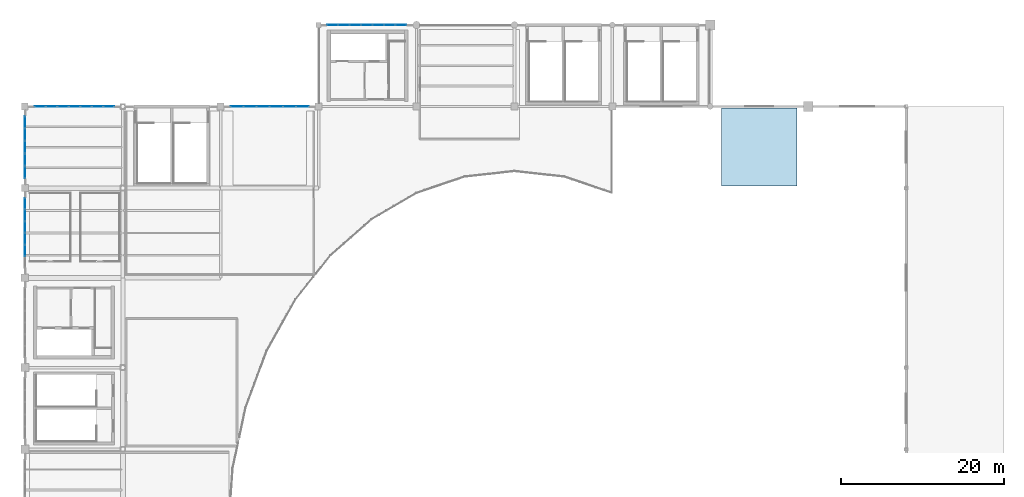
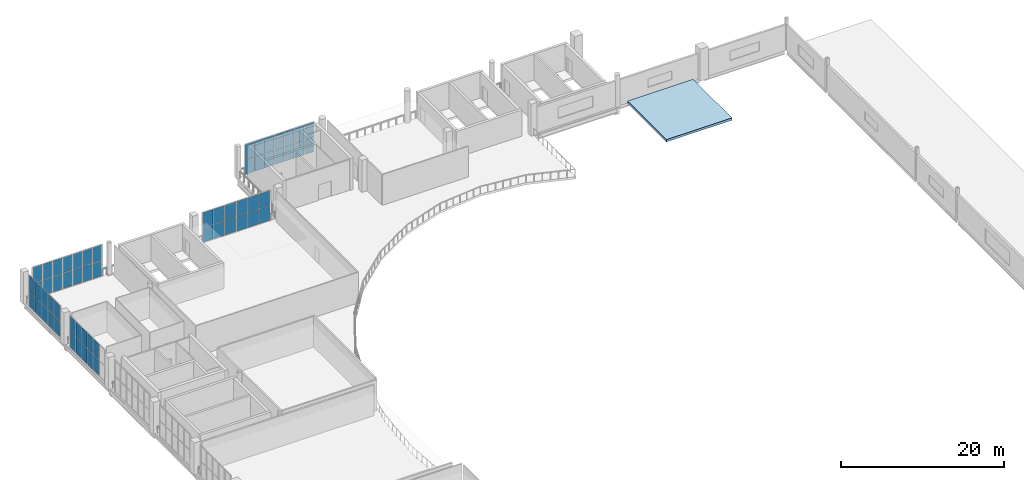
# One storey, part 35 of 49: 60 plates, 1 slab, 5 elements without a shape of their own.
"""IFC4 building model written with IfcOpenShell, lengths in metres."""

from ifc_helpers import new_model, si_unit, direction, frame, origin, origin_2d, place, context, subcontext, project, spatial, polyline, rectangle, outline, extrude, material, layer, layer_set, type_object, element, aggregate, save


model = new_model("IFC4")

# Units and contexts
model_context = context("Model", 3, precision=1e-05, world=origin(), true_north=direction((0.0, 1.0)))
body_context = subcontext(model_context, "Body", "Model", "MODEL_VIEW")
ifc_project = project(units=[si_unit("LENGTHUNIT", "METRE"), si_unit("AREAUNIT", "SQUARE_METRE"), si_unit("VOLUMEUNIT", "CUBIC_METRE"), si_unit("PLANEANGLEUNIT", "RADIAN"), si_unit("MASSUNIT", "GRAM", prefix="KILO")], contexts=[model_context])

# Site, building, storey
site_placement = place(None, origin())
site = spatial("IfcSite", under=ifc_project, at=site_placement, CompositionType="ELEMENT")
building_placement = place(site_placement, origin())
building = spatial("IfcBuilding", under=site, at=building_placement, Name="Brinegate Civic Arena", CompositionType="ELEMENT")
storey_placement = place(building_placement, frame((0.0, 0.0, 24.60009765625)))
storey = spatial("IfcBuildingStorey", under=building, at=storey_placement, Name="L05", CompositionType="ELEMENT", Elevation=24.60009765625)

# Curtain wall, plates
ifc_material_1 = material(Name="Marine grade aluminium", Category="aluminium")
ifc_layer_1 = layer(ifc_material_1, 0.199951171875, Name="Marine grade aluminium")
ifc_layer_set_1 = layer_set([ifc_layer_1], Name="Marine grade aluminium")
curtain_wall_type = type_object("IfcCurtainWallType", Name="CW-BOWL-GLAZED-01", PredefinedType="USERDEFINED", material=ifc_layer_set_1)
curtain_wall_1_placement = place(storey_placement, origin())
curtain_wall_1 = element("IfcCurtainWall", 1, at=curtain_wall_1_placement, inside=storey, type_object=curtain_wall_type, Name="Curtain Wall CWA-170", ObjectType="GLAZED CURTAIN WALL", PredefinedType="USERDEFINED")
ifc_material_2 = material(Name="Hurricane laminated low-E glass", Category="glass")
ifc_layer_2 = layer(ifc_material_2, 0.028076171875, Name="Hurricane laminated low-E glass")
ifc_layer_set_2 = layer_set([ifc_layer_2], Name="Hurricane laminated low-E glass")
plate_type_1 = type_object("IfcPlateType", Name="CW-PANEL-GLAZED-28", PredefinedType="CURTAIN_PANEL", material=ifc_layer_set_2)
plate_1_placement = place(storey_placement, frame((73.975341796875, 114.0, 0.06494140625), z_axis=(0.0, 0.0, 1.0), x_axis=(1.0, 0.0, 0.0)))
plate_1 = element("IfcPlate", 2, at=plate_1_placement, type_object=plate_type_1, Name="CWA-170 panel 1.1", PredefinedType="CURTAIN_PANEL", context=body_context, shape_type="SweptSolid", body=[
    extrude(rectangle(XDim=1.518798828125, YDim=0.028076171875, at=origin_2d()), origin(), (0.0, 0.0, 1.0), 2.1923828125),
])
plate_2_placement = place(storey_placement, frame((73.975341796875, 114.0, 2.322509765625), z_axis=(0.0, 0.0, 1.0), x_axis=(1.0, 0.0, 0.0)))
plate_2 = element("IfcPlate", 3, at=plate_2_placement, type_object=plate_type_1, Name="CWA-170 panel 1.2", PredefinedType="CURTAIN_PANEL", context=body_context, shape_type="SweptSolid", body=[
    extrude(rectangle(XDim=1.518798828125, YDim=0.028076171875, at=origin_2d()), origin(), (0.0, 0.0, 1.0), 2.1923828125),
])
plate_3_placement = place(storey_placement, frame((75.575439453125, 114.0, 0.06494140625), z_axis=(0.0, 0.0, 1.0), x_axis=(1.0, 0.0, 0.0)))
plate_3 = element("IfcPlate", 4, at=plate_3_placement, type_object=plate_type_1, Name="CWA-170 panel 2.1", PredefinedType="CURTAIN_PANEL", context=body_context, shape_type="SweptSolid", body=[
    extrude(rectangle(XDim=1.55126953125, YDim=0.028076171875, at=origin_2d()), origin(), (0.0, 0.0, 1.0), 2.1923828125),
])
plate_4_placement = place(storey_placement, frame((75.575439453125, 114.0, 2.322509765625), z_axis=(0.0, 0.0, 1.0), x_axis=(1.0, 0.0, 0.0)))
plate_4 = element("IfcPlate", 5, at=plate_4_placement, type_object=plate_type_1, Name="CWA-170 panel 2.2", PredefinedType="CURTAIN_PANEL", context=body_context, shape_type="SweptSolid", body=[
    extrude(rectangle(XDim=1.55126953125, YDim=0.028076171875, at=origin_2d()), origin(), (0.0, 0.0, 1.0), 2.1923828125),
])
plate_5_placement = place(storey_placement, frame((77.19189453125, 114.0, 0.06494140625), z_axis=(0.0, 0.0, 1.0), x_axis=(1.0, 0.0, 0.0)))
plate_5 = element("IfcPlate", 6, at=plate_5_placement, type_object=plate_type_1, Name="CWA-170 panel 3.1", PredefinedType="CURTAIN_PANEL", context=body_context, shape_type="SweptSolid", body=[
    extrude(rectangle(XDim=1.55126953125, YDim=0.028076171875, at=origin_2d()), origin(), (0.0, 0.0, 1.0), 2.1923828125),
])
plate_6_placement = place(storey_placement, frame((77.19189453125, 114.0, 2.322509765625), z_axis=(0.0, 0.0, 1.0), x_axis=(1.0, 0.0, 0.0)))
plate_6 = element("IfcPlate", 7, at=plate_6_placement, type_object=plate_type_1, Name="CWA-170 panel 3.2", PredefinedType="CURTAIN_PANEL", context=body_context, shape_type="SweptSolid", body=[
    extrude(rectangle(XDim=1.55126953125, YDim=0.028076171875, at=origin_2d()), origin(), (0.0, 0.0, 1.0), 2.1923828125),
])
plate_7_placement = place(storey_placement, frame((78.80810546875, 114.0, 0.06494140625), z_axis=(0.0, 0.0, 1.0), x_axis=(1.0, 0.0, 0.0)))
plate_7 = element("IfcPlate", 8, at=plate_7_placement, type_object=plate_type_1, Name="CWA-170 panel 4.1", PredefinedType="CURTAIN_PANEL", context=body_context, shape_type="SweptSolid", body=[
    extrude(rectangle(XDim=1.55126953125, YDim=0.028076171875, at=origin_2d()), origin(), (0.0, 0.0, 1.0), 2.1923828125),
])
plate_8_placement = place(storey_placement, frame((78.80810546875, 114.0, 2.322509765625), z_axis=(0.0, 0.0, 1.0), x_axis=(1.0, 0.0, 0.0)))
plate_8 = element("IfcPlate", 9, at=plate_8_placement, type_object=plate_type_1, Name="CWA-170 panel 4.2", PredefinedType="CURTAIN_PANEL", context=body_context, shape_type="SweptSolid", body=[
    extrude(rectangle(XDim=1.55126953125, YDim=0.028076171875, at=origin_2d()), origin(), (0.0, 0.0, 1.0), 2.1923828125),
])
plate_9_placement = place(storey_placement, frame((80.424560546875, 114.0, 0.06494140625), z_axis=(0.0, 0.0, 1.0), x_axis=(1.0, 0.0, 0.0)))
plate_9 = element("IfcPlate", 10, at=plate_9_placement, type_object=plate_type_1, Name="CWA-170 panel 5.1", PredefinedType="CURTAIN_PANEL", context=body_context, shape_type="SweptSolid", body=[
    extrude(rectangle(XDim=1.55126953125, YDim=0.028076171875, at=origin_2d()), origin(), (0.0, 0.0, 1.0), 2.1923828125),
])
plate_10_placement = place(storey_placement, frame((80.424560546875, 114.0, 2.322509765625), z_axis=(0.0, 0.0, 1.0), x_axis=(1.0, 0.0, 0.0)))
plate_10 = element("IfcPlate", 11, at=plate_10_placement, type_object=plate_type_1, Name="CWA-170 panel 5.2", PredefinedType="CURTAIN_PANEL", context=body_context, shape_type="SweptSolid", body=[
    extrude(rectangle(XDim=1.55126953125, YDim=0.028076171875, at=origin_2d()), origin(), (0.0, 0.0, 1.0), 2.1923828125),
])
plate_11_placement = place(storey_placement, frame((82.024658203125, 114.0, 0.06494140625), z_axis=(0.0, 0.0, 1.0), x_axis=(1.0, 0.0, 0.0)))
plate_11 = element("IfcPlate", 12, at=plate_11_placement, type_object=plate_type_1, Name="CWA-170 panel 6.1", PredefinedType="CURTAIN_PANEL", context=body_context, shape_type="SweptSolid", body=[
    extrude(rectangle(XDim=1.518798828125, YDim=0.028076171875, at=origin_2d()), origin(), (0.0, 0.0, 1.0), 2.1923828125),
])
plate_12_placement = place(storey_placement, frame((82.024658203125, 114.0, 2.322509765625), z_axis=(0.0, 0.0, 1.0), x_axis=(1.0, 0.0, 0.0)))
plate_12 = element("IfcPlate", 13, at=plate_12_placement, type_object=plate_type_1, Name="CWA-170 panel 6.2", PredefinedType="CURTAIN_PANEL", context=body_context, shape_type="SweptSolid", body=[
    extrude(rectangle(XDim=1.518798828125, YDim=0.028076171875, at=origin_2d()), origin(), (0.0, 0.0, 1.0), 2.1923828125),
])
aggregate(curtain_wall_1, [plate_1, plate_2, plate_3, plate_4, plate_5, plate_6, plate_7, plate_8, plate_9, plate_10, plate_11, plate_12])

curtain_wall_2_placement = place(storey_placement, origin())
curtain_wall_2 = element("IfcCurtainWall", 14, at=curtain_wall_2_placement, inside=storey, type_object=curtain_wall_type, Name="Curtain Wall CWA-171", ObjectType="GLAZED CURTAIN WALL", PredefinedType="USERDEFINED")
ifc_layer_3 = layer(ifc_material_2, 0.031982421875, Name="Hurricane laminated low-E glass")
ifc_layer_set_3 = layer_set([ifc_layer_3], Name="Hurricane laminated low-E glass")
plate_type_2 = type_object("IfcPlateType", Name="CW-PANEL-GLAZED-32", PredefinedType="CURTAIN_PANEL", material=ifc_layer_set_3)
plate_13_placement = place(storey_placement, frame((85.693115234375, 124.0, 0.07470703125), z_axis=(0.0, 0.0, 1.0), x_axis=(1.0, 0.0, 0.0)))
plate_13 = element("IfcPlate", 15, at=plate_13_placement, type_object=plate_type_2, Name="CWA-171 panel 1.1", PredefinedType="CURTAIN_PANEL", context=body_context, shape_type="SweptSolid", body=[
    extrude(rectangle(XDim=1.30810546875, YDim=0.031982421875, at=origin_2d()), origin(), (0.0, 0.0, 1.0), 2.177490234375),
])
plate_14_placement = place(storey_placement, frame((85.693115234375, 124.0, 2.32763671875), z_axis=(0.0, 0.0, 1.0), x_axis=(1.0, 0.0, 0.0)))
plate_14 = element("IfcPlate", 16, at=plate_14_placement, type_object=plate_type_2, Name="CWA-171 panel 1.2", PredefinedType="CURTAIN_PANEL", context=body_context, shape_type="SweptSolid", body=[
    extrude(rectangle(XDim=1.30810546875, YDim=0.031982421875, at=origin_2d()), origin(), (0.0, 0.0, 1.0), 2.177490234375),
])
plate_15_placement = place(storey_placement, frame((87.08251953125, 124.0, 0.07470703125), z_axis=(0.0, 0.0, 1.0), x_axis=(1.0, 0.0, 0.0)))
plate_15 = element("IfcPlate", 17, at=plate_15_placement, type_object=plate_type_2, Name="CWA-171 panel 2.1", PredefinedType="CURTAIN_PANEL", context=body_context, shape_type="SweptSolid", body=[
    extrude(rectangle(XDim=1.3408203125, YDim=0.031982421875, at=origin_2d()), origin(), (0.0, 0.0, 1.0), 2.177490234375),
])
plate_16_placement = place(storey_placement, frame((87.08251953125, 124.0, 2.32763671875), z_axis=(0.0, 0.0, 1.0), x_axis=(1.0, 0.0, 0.0)))
plate_16 = element("IfcPlate", 18, at=plate_16_placement, type_object=plate_type_2, Name="CWA-171 panel 2.2", PredefinedType="CURTAIN_PANEL", context=body_context, shape_type="SweptSolid", body=[
    extrude(rectangle(XDim=1.3408203125, YDim=0.031982421875, at=origin_2d()), origin(), (0.0, 0.0, 1.0), 2.177490234375),
])
plate_17_placement = place(storey_placement, frame((88.48828125, 124.0, 0.07470703125), z_axis=(0.0, 0.0, 1.0), x_axis=(1.0, 0.0, 0.0)))
plate_17 = element("IfcPlate", 19, at=plate_17_placement, type_object=plate_type_2, Name="CWA-171 panel 3.1", PredefinedType="CURTAIN_PANEL", context=body_context, shape_type="SweptSolid", body=[
    extrude(rectangle(XDim=1.3408203125, YDim=0.031982421875, at=origin_2d()), origin(), (0.0, 0.0, 1.0), 2.177490234375),
])
plate_18_placement = place(storey_placement, frame((88.48828125, 124.0, 2.32763671875), z_axis=(0.0, 0.0, 1.0), x_axis=(1.0, 0.0, 0.0)))
plate_18 = element("IfcPlate", 20, at=plate_18_placement, type_object=plate_type_2, Name="CWA-171 panel 3.2", PredefinedType="CURTAIN_PANEL", context=body_context, shape_type="SweptSolid", body=[
    extrude(rectangle(XDim=1.3408203125, YDim=0.031982421875, at=origin_2d()), origin(), (0.0, 0.0, 1.0), 2.177490234375),
])
plate_19_placement = place(storey_placement, frame((89.89404296875, 124.0, 0.07470703125), z_axis=(0.0, 0.0, 1.0), x_axis=(1.0, 0.0, 0.0)))
plate_19 = element("IfcPlate", 21, at=plate_19_placement, type_object=plate_type_2, Name="CWA-171 panel 4.1", PredefinedType="CURTAIN_PANEL", context=body_context, shape_type="SweptSolid", body=[
    extrude(rectangle(XDim=1.3408203125, YDim=0.031982421875, at=origin_2d()), origin(), (0.0, 0.0, 1.0), 2.177490234375),
])
plate_20_placement = place(storey_placement, frame((89.89404296875, 124.0, 2.32763671875), z_axis=(0.0, 0.0, 1.0), x_axis=(1.0, 0.0, 0.0)))
plate_20 = element("IfcPlate", 22, at=plate_20_placement, type_object=plate_type_2, Name="CWA-171 panel 4.2", PredefinedType="CURTAIN_PANEL", context=body_context, shape_type="SweptSolid", body=[
    extrude(rectangle(XDim=1.3408203125, YDim=0.031982421875, at=origin_2d()), origin(), (0.0, 0.0, 1.0), 2.177490234375),
])
plate_21_placement = place(storey_placement, frame((91.2998046875, 124.0, 0.07470703125), z_axis=(0.0, 0.0, 1.0), x_axis=(1.0, 0.0, 0.0)))
plate_21 = element("IfcPlate", 23, at=plate_21_placement, type_object=plate_type_2, Name="CWA-171 panel 5.1", PredefinedType="CURTAIN_PANEL", context=body_context, shape_type="SweptSolid", body=[
    extrude(rectangle(XDim=1.3408203125, YDim=0.031982421875, at=origin_2d()), origin(), (0.0, 0.0, 1.0), 2.177490234375),
])
plate_22_placement = place(storey_placement, frame((91.2998046875, 124.0, 2.32763671875), z_axis=(0.0, 0.0, 1.0), x_axis=(1.0, 0.0, 0.0)))
plate_22 = element("IfcPlate", 24, at=plate_22_placement, type_object=plate_type_2, Name="CWA-171 panel 5.2", PredefinedType="CURTAIN_PANEL", context=body_context, shape_type="SweptSolid", body=[
    extrude(rectangle(XDim=1.3408203125, YDim=0.031982421875, at=origin_2d()), origin(), (0.0, 0.0, 1.0), 2.177490234375),
])
plate_23_placement = place(storey_placement, frame((92.705322265625, 124.0, 0.07470703125), z_axis=(0.0, 0.0, 1.0), x_axis=(1.0, 0.0, 0.0)))
plate_23 = element("IfcPlate", 25, at=plate_23_placement, type_object=plate_type_2, Name="CWA-171 panel 6.1", PredefinedType="CURTAIN_PANEL", context=body_context, shape_type="SweptSolid", body=[
    extrude(rectangle(XDim=1.3408203125, YDim=0.031982421875, at=origin_2d()), origin(), (0.0, 0.0, 1.0), 2.177490234375),
])
plate_24_placement = place(storey_placement, frame((92.705322265625, 124.0, 2.32763671875), z_axis=(0.0, 0.0, 1.0), x_axis=(1.0, 0.0, 0.0)))
plate_24 = element("IfcPlate", 26, at=plate_24_placement, type_object=plate_type_2, Name="CWA-171 panel 6.2", PredefinedType="CURTAIN_PANEL", context=body_context, shape_type="SweptSolid", body=[
    extrude(rectangle(XDim=1.3408203125, YDim=0.031982421875, at=origin_2d()), origin(), (0.0, 0.0, 1.0), 2.177490234375),
])
plate_25_placement = place(storey_placement, frame((94.094970703125, 124.0, 0.07470703125), z_axis=(0.0, 0.0, 1.0), x_axis=(1.0, 0.0, 0.0)))
plate_25 = element("IfcPlate", 27, at=plate_25_placement, type_object=plate_type_2, Name="CWA-171 panel 7.1", PredefinedType="CURTAIN_PANEL", context=body_context, shape_type="SweptSolid", body=[
    extrude(rectangle(XDim=1.30810546875, YDim=0.031982421875, at=origin_2d()), origin(), (0.0, 0.0, 1.0), 2.177490234375),
])
plate_26_placement = place(storey_placement, frame((94.094970703125, 124.0, 2.32763671875), z_axis=(0.0, 0.0, 1.0), x_axis=(1.0, 0.0, 0.0)))
plate_26 = element("IfcPlate", 28, at=plate_26_placement, type_object=plate_type_2, Name="CWA-171 panel 7.2", PredefinedType="CURTAIN_PANEL", context=body_context, shape_type="SweptSolid", body=[
    extrude(rectangle(XDim=1.30810546875, YDim=0.031982421875, at=origin_2d()), origin(), (0.0, 0.0, 1.0), 2.177490234375),
])
aggregate(curtain_wall_2, [plate_13, plate_14, plate_15, plate_16, plate_17, plate_18, plate_19, plate_20, plate_21, plate_22, plate_23, plate_24, plate_25, plate_26])

curtain_wall_3_placement = place(storey_placement, origin())
curtain_wall_3 = element("IfcCurtainWall", 29, at=curtain_wall_3_placement, inside=storey, type_object=curtain_wall_type, Name="Curtain Wall CWA-162", ObjectType="GLAZED CURTAIN WALL", PredefinedType="USERDEFINED")
ifc_layer_4 = layer(ifc_material_2, 0.035888671875, Name="Hurricane laminated low-E glass")
ifc_layer_set_4 = layer_set([ifc_layer_4], Name="Hurricane laminated low-E glass")
plate_type_3 = type_object("IfcPlateType", Name="CW-PANEL-GLAZED-36", PredefinedType="CURTAIN_PANEL", material=ifc_layer_set_4)
plate_27_placement = place(storey_placement, frame((48.0, 96.351806640625, 0.06494140625), z_axis=(0.0, 0.0, 1.0), x_axis=(0.0, 1.0, 0.0)))
plate_27 = element("IfcPlate", 30, at=plate_27_placement, type_object=plate_type_3, Name="CWA-162 panel 2.1", PredefinedType="CURTAIN_PANEL", context=body_context, shape_type="SweptSolid", body=[
    extrude(rectangle(XDim=1.368896484375, YDim=0.035888671875, at=origin_2d()), origin(), (0.0, 0.0, 1.0), 2.302490234375),
])
plate_28_placement = place(storey_placement, frame((48.0, 96.351806640625, 2.4326171875), z_axis=(0.0, 0.0, 1.0), x_axis=(0.0, 1.0, 0.0)))
plate_28 = element("IfcPlate", 31, at=plate_28_placement, type_object=plate_type_3, Name="CWA-162 panel 2.2", PredefinedType="CURTAIN_PANEL", context=body_context, shape_type="SweptSolid", body=[
    extrude(rectangle(XDim=1.368896484375, YDim=0.035888671875, at=origin_2d()), origin(), (0.0, 0.0, 1.0), 2.302490234375),
])
plate_29_placement = place(storey_placement, frame((48.0, 97.795654296875, 0.06494140625), z_axis=(0.0, 0.0, 1.0), x_axis=(0.0, 1.0, 0.0)))
plate_29 = element("IfcPlate", 32, at=plate_29_placement, type_object=plate_type_3, Name="CWA-162 panel 3.1", PredefinedType="CURTAIN_PANEL", context=body_context, shape_type="SweptSolid", body=[
    extrude(rectangle(XDim=1.368896484375, YDim=0.035888671875, at=origin_2d()), origin(), (0.0, 0.0, 1.0), 2.302490234375),
])
plate_30_placement = place(storey_placement, frame((48.0, 97.795654296875, 2.4326171875), z_axis=(0.0, 0.0, 1.0), x_axis=(0.0, 1.0, 0.0)))
plate_30 = element("IfcPlate", 33, at=plate_30_placement, type_object=plate_type_3, Name="CWA-162 panel 3.2", PredefinedType="CURTAIN_PANEL", context=body_context, shape_type="SweptSolid", body=[
    extrude(rectangle(XDim=1.368896484375, YDim=0.035888671875, at=origin_2d()), origin(), (0.0, 0.0, 1.0), 2.302490234375),
])
plate_31_placement = place(storey_placement, frame((48.0, 99.239501953125, 0.06494140625), z_axis=(0.0, 0.0, 1.0), x_axis=(0.0, 1.0, 0.0)))
plate_31 = element("IfcPlate", 34, at=plate_31_placement, type_object=plate_type_3, Name="CWA-162 panel 4.1", PredefinedType="CURTAIN_PANEL", context=body_context, shape_type="SweptSolid", body=[
    extrude(rectangle(XDim=1.368896484375, YDim=0.035888671875, at=origin_2d()), origin(), (0.0, 0.0, 1.0), 2.302490234375),
])
plate_32_placement = place(storey_placement, frame((48.0, 99.239501953125, 2.4326171875), z_axis=(0.0, 0.0, 1.0), x_axis=(0.0, 1.0, 0.0)))
plate_32 = element("IfcPlate", 35, at=plate_32_placement, type_object=plate_type_3, Name="CWA-162 panel 4.2", PredefinedType="CURTAIN_PANEL", context=body_context, shape_type="SweptSolid", body=[
    extrude(rectangle(XDim=1.368896484375, YDim=0.035888671875, at=origin_2d()), origin(), (0.0, 0.0, 1.0), 2.302490234375),
])
plate_33_placement = place(storey_placement, frame((48.0, 100.683349609375, 0.06494140625), z_axis=(0.0, 0.0, 1.0), x_axis=(0.0, 1.0, 0.0)))
plate_33 = element("IfcPlate", 36, at=plate_33_placement, type_object=plate_type_3, Name="CWA-162 panel 5.1", PredefinedType="CURTAIN_PANEL", context=body_context, shape_type="SweptSolid", body=[
    extrude(rectangle(XDim=1.368896484375, YDim=0.035888671875, at=origin_2d()), origin(), (0.0, 0.0, 1.0), 2.302490234375),
])
plate_34_placement = place(storey_placement, frame((48.0, 100.683349609375, 2.4326171875), z_axis=(0.0, 0.0, 1.0), x_axis=(0.0, 1.0, 0.0)))
plate_34 = element("IfcPlate", 37, at=plate_34_placement, type_object=plate_type_3, Name="CWA-162 panel 5.2", PredefinedType="CURTAIN_PANEL", context=body_context, shape_type="SweptSolid", body=[
    extrude(rectangle(XDim=1.368896484375, YDim=0.035888671875, at=origin_2d()), origin(), (0.0, 0.0, 1.0), 2.302490234375),
])
plate_35_placement = place(storey_placement, frame((48.0, 102.1083984375, 0.06494140625), z_axis=(0.0, 0.0, 1.0), x_axis=(0.0, 1.0, 0.0)))
plate_35 = element("IfcPlate", 38, at=plate_35_placement, type_object=plate_type_3, Name="CWA-162 panel 6.1", PredefinedType="CURTAIN_PANEL", context=body_context, shape_type="SweptSolid", body=[
    extrude(rectangle(XDim=1.331298828125, YDim=0.035888671875, at=origin_2d()), origin(), (0.0, 0.0, 1.0), 2.302490234375),
])
plate_36_placement = place(storey_placement, frame((48.0, 102.1083984375, 2.4326171875), z_axis=(0.0, 0.0, 1.0), x_axis=(0.0, 1.0, 0.0)))
plate_36 = element("IfcPlate", 39, at=plate_36_placement, type_object=plate_type_3, Name="CWA-162 panel 6.2", PredefinedType="CURTAIN_PANEL", context=body_context, shape_type="SweptSolid", body=[
    extrude(rectangle(XDim=1.331298828125, YDim=0.035888671875, at=origin_2d()), origin(), (0.0, 0.0, 1.0), 2.302490234375),
])
aggregate(curtain_wall_3, [plate_27, plate_28, plate_29, plate_30, plate_31, plate_32, plate_33, plate_34, plate_35, plate_36])

curtain_wall_4_placement = place(storey_placement, origin())
curtain_wall_4 = element("IfcCurtainWall", 40, at=curtain_wall_4_placement, inside=storey, type_object=curtain_wall_type, Name="Curtain Wall CWA-169", ObjectType="GLAZED CURTAIN WALL", PredefinedType="USERDEFINED")
plate_37_placement = place(storey_placement, frame((49.842041015625, 114.0, 0.074951171875), z_axis=(0.0, 0.0, 1.0), x_axis=(1.0, 0.0, 0.0)))
plate_37 = element("IfcPlate", 41, at=plate_37_placement, type_object=plate_type_3, Name="CWA-169 panel 1.1", PredefinedType="CURTAIN_PANEL", context=body_context, shape_type="SweptSolid", body=[
    extrude(rectangle(XDim=1.30224609375, YDim=0.035888671875, at=origin_2d()), origin(), (0.0, 0.0, 1.0), 2.28759765625),
])
plate_38_placement = place(storey_placement, frame((49.842041015625, 114.0, 2.437255859375), z_axis=(0.0, 0.0, 1.0), x_axis=(1.0, 0.0, 0.0)))
plate_38 = element("IfcPlate", 42, at=plate_38_placement, type_object=plate_type_3, Name="CWA-169 panel 1.2", PredefinedType="CURTAIN_PANEL", context=body_context, shape_type="SweptSolid", body=[
    extrude(rectangle(XDim=1.30224609375, YDim=0.035888671875, at=origin_2d()), origin(), (0.0, 0.0, 1.0), 2.28759765625),
])
plate_39_placement = place(storey_placement, frame((51.238037109375, 114.0, 0.074951171875), z_axis=(0.0, 0.0, 1.0), x_axis=(1.0, 0.0, 0.0)))
plate_39 = element("IfcPlate", 43, at=plate_39_placement, type_object=plate_type_3, Name="CWA-169 panel 2.1", PredefinedType="CURTAIN_PANEL", context=body_context, shape_type="SweptSolid", body=[
    extrude(rectangle(XDim=1.339599609375, YDim=0.035888671875, at=origin_2d()), origin(), (0.0, 0.0, 1.0), 2.28759765625),
])
plate_40_placement = place(storey_placement, frame((51.238037109375, 114.0, 2.437255859375), z_axis=(0.0, 0.0, 1.0), x_axis=(1.0, 0.0, 0.0)))
plate_40 = element("IfcPlate", 44, at=plate_40_placement, type_object=plate_type_3, Name="CWA-169 panel 2.2", PredefinedType="CURTAIN_PANEL", context=body_context, shape_type="SweptSolid", body=[
    extrude(rectangle(XDim=1.339599609375, YDim=0.035888671875, at=origin_2d()), origin(), (0.0, 0.0, 1.0), 2.28759765625),
])
plate_41_placement = place(storey_placement, frame((52.65283203125, 114.0, 0.074951171875), z_axis=(0.0, 0.0, 1.0), x_axis=(1.0, 0.0, 0.0)))
plate_41 = element("IfcPlate", 45, at=plate_41_placement, type_object=plate_type_3, Name="CWA-169 panel 3.1", PredefinedType="CURTAIN_PANEL", context=body_context, shape_type="SweptSolid", body=[
    extrude(rectangle(XDim=1.339599609375, YDim=0.035888671875, at=origin_2d()), origin(), (0.0, 0.0, 1.0), 2.28759765625),
])
plate_42_placement = place(storey_placement, frame((52.65283203125, 114.0, 2.437255859375), z_axis=(0.0, 0.0, 1.0), x_axis=(1.0, 0.0, 0.0)))
plate_42 = element("IfcPlate", 46, at=plate_42_placement, type_object=plate_type_3, Name="CWA-169 panel 3.2", PredefinedType="CURTAIN_PANEL", context=body_context, shape_type="SweptSolid", body=[
    extrude(rectangle(XDim=1.339599609375, YDim=0.035888671875, at=origin_2d()), origin(), (0.0, 0.0, 1.0), 2.28759765625),
])
plate_43_placement = place(storey_placement, frame((54.0673828125, 114.0, 0.074951171875), z_axis=(0.0, 0.0, 1.0), x_axis=(1.0, 0.0, 0.0)))
plate_43 = element("IfcPlate", 47, at=plate_43_placement, type_object=plate_type_3, Name="CWA-169 panel 4.1", PredefinedType="CURTAIN_PANEL", context=body_context, shape_type="SweptSolid", body=[
    extrude(rectangle(XDim=1.339599609375, YDim=0.035888671875, at=origin_2d()), origin(), (0.0, 0.0, 1.0), 2.28759765625),
])
plate_44_placement = place(storey_placement, frame((54.0673828125, 114.0, 2.437255859375), z_axis=(0.0, 0.0, 1.0), x_axis=(1.0, 0.0, 0.0)))
plate_44 = element("IfcPlate", 48, at=plate_44_placement, type_object=plate_type_3, Name="CWA-169 panel 4.2", PredefinedType="CURTAIN_PANEL", context=body_context, shape_type="SweptSolid", body=[
    extrude(rectangle(XDim=1.339599609375, YDim=0.035888671875, at=origin_2d()), origin(), (0.0, 0.0, 1.0), 2.28759765625),
])
plate_45_placement = place(storey_placement, frame((55.482177734375, 114.0, 0.074951171875), z_axis=(0.0, 0.0, 1.0), x_axis=(1.0, 0.0, 0.0)))
plate_45 = element("IfcPlate", 49, at=plate_45_placement, type_object=plate_type_3, Name="CWA-169 panel 5.1", PredefinedType="CURTAIN_PANEL", context=body_context, shape_type="SweptSolid", body=[
    extrude(rectangle(XDim=1.339599609375, YDim=0.035888671875, at=origin_2d()), origin(), (0.0, 0.0, 1.0), 2.28759765625),
])
plate_46_placement = place(storey_placement, frame((55.482177734375, 114.0, 2.437255859375), z_axis=(0.0, 0.0, 1.0), x_axis=(1.0, 0.0, 0.0)))
plate_46 = element("IfcPlate", 50, at=plate_46_placement, type_object=plate_type_3, Name="CWA-169 panel 5.2", PredefinedType="CURTAIN_PANEL", context=body_context, shape_type="SweptSolid", body=[
    extrude(rectangle(XDim=1.339599609375, YDim=0.035888671875, at=origin_2d()), origin(), (0.0, 0.0, 1.0), 2.28759765625),
])
plate_47_placement = place(storey_placement, frame((56.89697265625, 114.0, 0.074951171875), z_axis=(0.0, 0.0, 1.0), x_axis=(1.0, 0.0, 0.0)))
plate_47 = element("IfcPlate", 51, at=plate_47_placement, type_object=plate_type_3, Name="CWA-169 panel 6.1", PredefinedType="CURTAIN_PANEL", context=body_context, shape_type="SweptSolid", body=[
    extrude(rectangle(XDim=1.339599609375, YDim=0.035888671875, at=origin_2d()), origin(), (0.0, 0.0, 1.0), 2.28759765625),
])
plate_48_placement = place(storey_placement, frame((56.89697265625, 114.0, 2.437255859375), z_axis=(0.0, 0.0, 1.0), x_axis=(1.0, 0.0, 0.0)))
plate_48 = element("IfcPlate", 52, at=plate_48_placement, type_object=plate_type_3, Name="CWA-169 panel 6.2", PredefinedType="CURTAIN_PANEL", context=body_context, shape_type="SweptSolid", body=[
    extrude(rectangle(XDim=1.339599609375, YDim=0.035888671875, at=origin_2d()), origin(), (0.0, 0.0, 1.0), 2.28759765625),
])
plate_49_placement = place(storey_placement, frame((58.29296875, 114.0, 0.074951171875), z_axis=(0.0, 0.0, 1.0), x_axis=(1.0, 0.0, 0.0)))
plate_49 = element("IfcPlate", 53, at=plate_49_placement, type_object=plate_type_3, Name="CWA-169 panel 7.1", PredefinedType="CURTAIN_PANEL", context=body_context, shape_type="SweptSolid", body=[
    extrude(rectangle(XDim=1.30224609375, YDim=0.035888671875, at=origin_2d()), origin(), (0.0, 0.0, 1.0), 2.28759765625),
])
plate_50_placement = place(storey_placement, frame((58.29296875, 114.0, 2.437255859375), z_axis=(0.0, 0.0, 1.0), x_axis=(1.0, 0.0, 0.0)))
plate_50 = element("IfcPlate", 54, at=plate_50_placement, type_object=plate_type_3, Name="CWA-169 panel 7.2", PredefinedType="CURTAIN_PANEL", context=body_context, shape_type="SweptSolid", body=[
    extrude(rectangle(XDim=1.30224609375, YDim=0.035888671875, at=origin_2d()), origin(), (0.0, 0.0, 1.0), 2.28759765625),
])
aggregate(curtain_wall_4, [plate_37, plate_38, plate_39, plate_40, plate_41, plate_42, plate_43, plate_44, plate_45, plate_46, plate_47, plate_48, plate_49, plate_50])

curtain_wall_5_placement = place(storey_placement, origin())
curtain_wall_5 = element("IfcCurtainWall", 55, at=curtain_wall_5_placement, inside=storey, type_object=curtain_wall_type, Name="Curtain Wall CWA-163", ObjectType="GLAZED CURTAIN WALL", PredefinedType="USERDEFINED")
ifc_layer_5 = layer(ifc_material_2, 0.0419921875, Name="Hurricane laminated low-E glass")
ifc_layer_set_5 = layer_set([ifc_layer_5], Name="Hurricane laminated low-E glass")
plate_type_4 = type_object("IfcPlateType", Name="CW-PANEL-SPANDREL-42", PredefinedType="CURTAIN_PANEL", material=ifc_layer_set_5)
plate_51_placement = place(storey_placement, frame((48.0, 105.9443359375, 0.06494140625), z_axis=(0.0, 0.0, 1.0), x_axis=(0.0, 1.0, 0.0)))
plate_51 = element("IfcPlate", 56, at=plate_51_placement, type_object=plate_type_4, Name="CWA-163 panel 1.1", PredefinedType="CURTAIN_PANEL", context=body_context, shape_type="SweptSolid", body=[
    extrude(rectangle(XDim=1.426513671875, YDim=0.0419921875, at=origin_2d()), origin(), (0.0, 0.0, 1.0), 2.302490234375),
])
plate_52_placement = place(storey_placement, frame((48.0, 105.9443359375, 2.4326171875), z_axis=(0.0, 0.0, 1.0), x_axis=(0.0, 1.0, 0.0)))
plate_52 = element("IfcPlate", 57, at=plate_52_placement, type_object=plate_type_4, Name="CWA-163 panel 1.2", PredefinedType="CURTAIN_PANEL", context=body_context, shape_type="SweptSolid", body=[
    extrude(rectangle(XDim=1.426513671875, YDim=0.0419921875, at=origin_2d()), origin(), (0.0, 0.0, 1.0), 2.302490234375),
])
plate_53_placement = place(storey_placement, frame((48.0, 107.470947265625, 0.06494140625), z_axis=(0.0, 0.0, 1.0), x_axis=(0.0, 1.0, 0.0)))
plate_53 = element("IfcPlate", 58, at=plate_53_placement, type_object=plate_type_4, Name="CWA-163 panel 2.1", PredefinedType="CURTAIN_PANEL", context=body_context, shape_type="SweptSolid", body=[
    extrude(rectangle(XDim=1.466552734375, YDim=0.0419921875, at=origin_2d()), origin(), (0.0, 0.0, 1.0), 2.302490234375),
])
plate_54_placement = place(storey_placement, frame((48.0, 107.470947265625, 2.4326171875), z_axis=(0.0, 0.0, 1.0), x_axis=(0.0, 1.0, 0.0)))
plate_54 = element("IfcPlate", 59, at=plate_54_placement, type_object=plate_type_4, Name="CWA-163 panel 2.2", PredefinedType="CURTAIN_PANEL", context=body_context, shape_type="SweptSolid", body=[
    extrude(rectangle(XDim=1.466552734375, YDim=0.0419921875, at=origin_2d()), origin(), (0.0, 0.0, 1.0), 2.302490234375),
])
plate_55_placement = place(storey_placement, frame((48.0, 109.017578125, 0.06494140625), z_axis=(0.0, 0.0, 1.0), x_axis=(0.0, 1.0, 0.0)))
plate_55 = element("IfcPlate", 60, at=plate_55_placement, type_object=plate_type_4, Name="CWA-163 panel 3.1", PredefinedType="CURTAIN_PANEL", context=body_context, shape_type="SweptSolid", body=[
    extrude(rectangle(XDim=1.466552734375, YDim=0.0419921875, at=origin_2d()), origin(), (0.0, 0.0, 1.0), 2.302490234375),
])
plate_56_placement = place(storey_placement, frame((48.0, 109.017578125, 2.4326171875), z_axis=(0.0, 0.0, 1.0), x_axis=(0.0, 1.0, 0.0)))
plate_56 = element("IfcPlate", 61, at=plate_56_placement, type_object=plate_type_4, Name="CWA-163 panel 3.2", PredefinedType="CURTAIN_PANEL", context=body_context, shape_type="SweptSolid", body=[
    extrude(rectangle(XDim=1.466552734375, YDim=0.0419921875, at=origin_2d()), origin(), (0.0, 0.0, 1.0), 2.302490234375),
])
plate_57_placement = place(storey_placement, frame((48.0, 110.564208984375, 0.06494140625), z_axis=(0.0, 0.0, 1.0), x_axis=(0.0, 1.0, 0.0)))
plate_57 = element("IfcPlate", 62, at=plate_57_placement, type_object=plate_type_4, Name="CWA-163 panel 4.1", PredefinedType="CURTAIN_PANEL", context=body_context, shape_type="SweptSolid", body=[
    extrude(rectangle(XDim=1.466552734375, YDim=0.0419921875, at=origin_2d()), origin(), (0.0, 0.0, 1.0), 2.302490234375),
])
plate_58_placement = place(storey_placement, frame((48.0, 110.564208984375, 2.4326171875), z_axis=(0.0, 0.0, 1.0), x_axis=(0.0, 1.0, 0.0)))
plate_58 = element("IfcPlate", 63, at=plate_58_placement, type_object=plate_type_4, Name="CWA-163 panel 4.2", PredefinedType="CURTAIN_PANEL", context=body_context, shape_type="SweptSolid", body=[
    extrude(rectangle(XDim=1.466552734375, YDim=0.0419921875, at=origin_2d()), origin(), (0.0, 0.0, 1.0), 2.302490234375),
])
plate_59_placement = place(storey_placement, frame((48.0, 112.0908203125, 0.06494140625), z_axis=(0.0, 0.0, 1.0), x_axis=(0.0, 1.0, 0.0)))
plate_59 = element("IfcPlate", 64, at=plate_59_placement, type_object=plate_type_4, Name="CWA-163 panel 5.1", PredefinedType="CURTAIN_PANEL", context=body_context, shape_type="SweptSolid", body=[
    extrude(rectangle(XDim=1.426513671875, YDim=0.0419921875, at=origin_2d()), origin(), (0.0, 0.0, 1.0), 2.302490234375),
])
plate_60_placement = place(storey_placement, frame((48.0, 112.0908203125, 2.4326171875), z_axis=(0.0, 0.0, 1.0), x_axis=(0.0, 1.0, 0.0)))
plate_60 = element("IfcPlate", 65, at=plate_60_placement, type_object=plate_type_4, Name="CWA-163 panel 5.2", PredefinedType="CURTAIN_PANEL", context=body_context, shape_type="SweptSolid", body=[
    extrude(rectangle(XDim=1.426513671875, YDim=0.0419921875, at=origin_2d()), origin(), (0.0, 0.0, 1.0), 2.302490234375),
])
aggregate(curtain_wall_5, [plate_51, plate_52, plate_53, plate_54, plate_55, plate_56, plate_57, plate_58, plate_59, plate_60])

# Slab
ifc_material_3 = material(Name="Concrete C40/50", Category="concrete")
ifc_layer_6 = layer(ifc_material_3, 0.340087890625, Name="Concrete C40/50")
ifc_layer_set_6 = layer_set([ifc_layer_6], Name="Concrete C40/50")
slab_type = type_object("IfcSlabType", Name="SLAB-ROOF-PORTAL-340", PredefinedType="ROOF", material=ifc_layer_set_6)
slab_placement = place(storey_placement, origin())
element("IfcSlab", 66, at=slab_placement, inside=storey, type_object=slab_type, Name="Core and Stair Headhouse Roof Cap ST13", PredefinedType="ROOF", context=body_context, shape_type="SweptSolid", body=[
    extrude(outline(polyline([(133.35009765625, 104.25), (142.64990234375, 104.25), (142.64990234375, 113.800048828125), (133.35009765625, 113.800048828125), (133.35009765625, 104.25)])), origin(), (0.0, 0.0, 1.0), 0.33984375),
])

save(model, "model.ifc")
